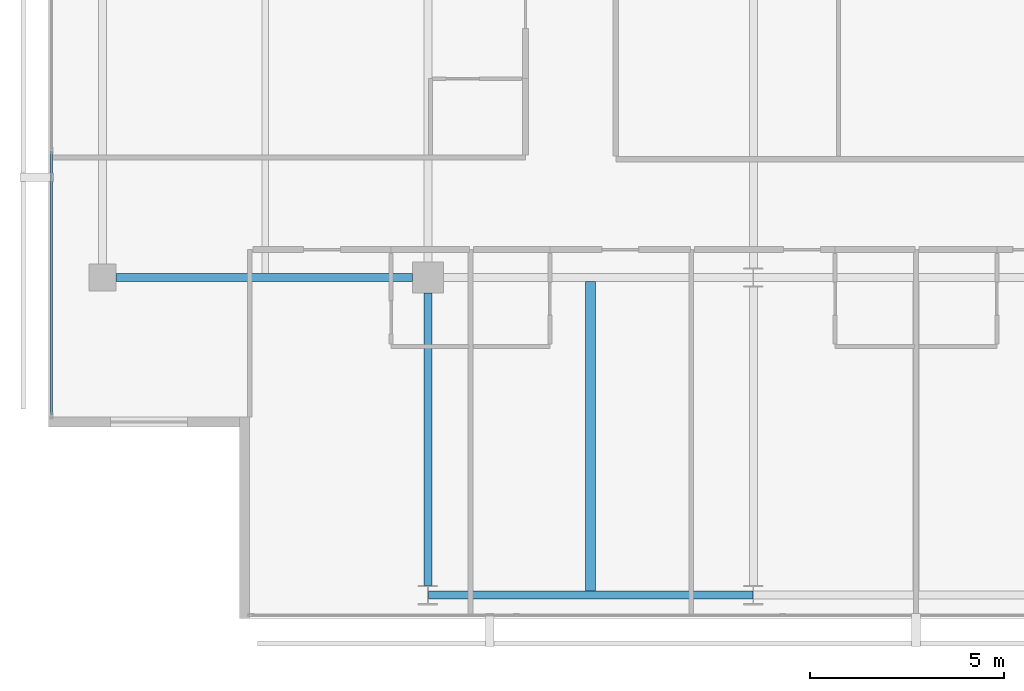
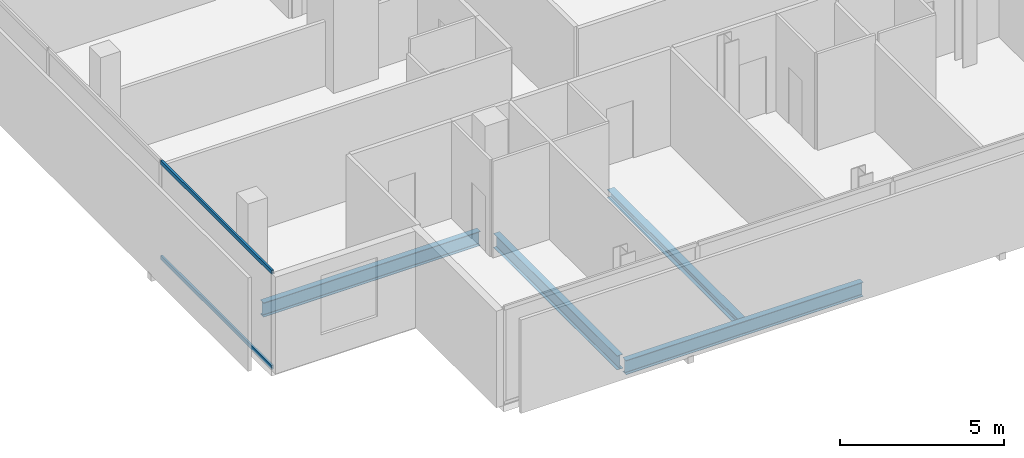
# One storey, part 3 of 26: 4 beams, 2 members, 1 element without a shape of its own.
"""IFC4 building model written with IfcOpenShell, lengths in metres."""

from ifc_helpers import new_model, si_unit, direction, frame, origin, origin_2d, place, context, subcontext, project, spatial, hollow_rectangle, i_section, extrude, material, layer, layer_set, material_profile, profile_set, type_object, element, aggregate, save


model = new_model("IFC4")

# Units and contexts
model_context = context("Model", 3, precision=1e-05, world=origin(), true_north=direction((0.0, 1.0)))
body_context = subcontext(model_context, "Body", "Model", "MODEL_VIEW")
ifc_project = project(units=[si_unit("LENGTHUNIT", "METRE"), si_unit("AREAUNIT", "SQUARE_METRE"), si_unit("VOLUMEUNIT", "CUBIC_METRE"), si_unit("PLANEANGLEUNIT", "RADIAN"), si_unit("MASSUNIT", "GRAM", prefix="KILO")], contexts=[model_context])

# Site, building, storey
site_placement = place(None, origin())
site = spatial("IfcSite", under=ifc_project, at=site_placement, CompositionType="ELEMENT")
building_placement = place(site_placement, origin())
building = spatial("IfcBuilding", under=site, at=building_placement, Name="Maruvema Waterfront Hotel and Observation Tower", CompositionType="ELEMENT")
storey_placement = place(building_placement, frame((0.0, 0.0, 243.25)))
storey = spatial("IfcBuildingStorey", under=building, at=storey_placement, Name="L59", CompositionType="ELEMENT", Elevation=243.25)

# Curtain wall, members
ifc_material_1 = material(Name="Anodised bronze aluminium and solar-control low-E IGU", Category="aluminium")
ifc_layer = layer(ifc_material_1, 0.159912109375, Name="Zone 3 Champagne Inner Thermal Curtain Wall System CW-04")
ifc_layer_set = layer_set([ifc_layer], Name="Anodised bronze aluminium and solar-control low-E IGU")
curtain_wall_type = type_object("IfcCurtainWallType", Name="Zone 3 Champagne Inner Thermal Curtain Wall System CW-04", PredefinedType="USERDEFINED", material=ifc_layer_set)
curtain_wall_placement = place(storey_placement, origin())
curtain_wall = element("IfcCurtainWall", 1, at=curtain_wall_placement, inside=storey, type_object=curtain_wall_type, Name="L59 Curtain Wall CW-L59-W", ObjectType="UNITISED CURTAIN WALL", PredefinedType="USERDEFINED")
ifc_material_2 = material(Name="Anodised architectural bronze aluminium", Category="aluminium")
ifc_material_profile_1 = material_profile(ifc_material_2, hollow_rectangle(XDim=0.070068359375, YDim=0.14990234375, WallThickness=0.00390625, at=origin_2d()), Name="ALU-T70x150")
ifc_profile_set_1 = profile_set([ifc_material_profile_1], Name="Anodised architectural bronze aluminium")
member_type = type_object("IfcMemberType", Name="Curtain Wall Horizontal Transom ALU-T70x150", PredefinedType="USERDEFINED", material=ifc_profile_set_1)
member_1_placement = place(storey_placement, frame((15.47998046875, 21.25, 0.030029296875), z_axis=(0.0, -1.0, 0.0), x_axis=(1.0, 0.0, 0.0)))
member_1 = element("IfcMember", 2, at=member_1_placement, type_object=member_type, Name="CW-04 transom 5.1", ObjectType="TRANSOM", PredefinedType="USERDEFINED", context=body_context, shape_type="SweptSolid", body=[
    extrude(hollow_rectangle(XDim=0.070068359375, YDim=0.14990234375, WallThickness=0.00390625, at=origin_2d()), origin(), (0.0, 0.0, 1.0), 6.7900390625),
])
member_2_placement = place(storey_placement, frame((15.47998046875, 21.25, 3.580078125), z_axis=(0.0, -1.0, 0.0), x_axis=(1.0, 0.0, 0.0)))
member_2 = element("IfcMember", 3, at=member_2_placement, type_object=member_type, Name="CW-04 transom 5.2", ObjectType="TRANSOM", PredefinedType="USERDEFINED", context=body_context, shape_type="SweptSolid", body=[
    extrude(hollow_rectangle(XDim=0.070068359375, YDim=0.14990234375, WallThickness=0.00390625, at=origin_2d()), origin(), (0.0, 0.0, 1.0), 6.7900390625),
])
aggregate(curtain_wall, [member_1, member_2])

# Beams
ifc_material_3 = material(Name="Steel ASTM A572 Grade 50", Category="steel")
ifc_material_profile_2 = material_profile(ifc_material_3, i_section(OverallWidth=0.208984375, OverallDepth=0.532958984375, WebThickness=0.01025390625, FlangeThickness=0.015625, FilletRadius=0.014892578125, at=origin_2d()), Name="W530x92.0")
ifc_profile_set_2 = profile_set([ifc_material_profile_2], Name="Steel ASTM A572 Grade 50")
beam_type_1 = type_object("IfcBeamType", Name="Primary Floor Girder W530x92.0", PredefinedType="BEAM", material=ifc_profile_set_2)
beam_1_placement = place(storey_placement, frame((25.2109375, 9.800048828125, -0.506591796875), z_axis=(1.0, 0.0, 0.0), x_axis=(0.0, 1.0, 0.0)))
element("IfcBeam", 4, at=beam_1_placement, inside=storey, type_object=beam_type_1, Name="L59 Floor Girder EW-01", PredefinedType="BEAM", context=body_context, shape_type="SweptSolid", body=[
    extrude(i_section(OverallWidth=0.208984375, OverallDepth=0.532958984375, WebThickness=0.01025390625, FlangeThickness=0.015625, FilletRadius=0.014892578125, at=origin_2d()), origin(), (0.0, 0.0, 1.0), 8.378173828125),
])
beam_2_placement = place(storey_placement, frame((17.14990234375, 18.0, -0.506591796875), z_axis=(1.0, 0.0, 0.0), x_axis=(0.0, 1.0, 0.0)))
element("IfcBeam", 5, at=beam_2_placement, inside=storey, type_object=beam_type_1, Name="L59 Floor Girder EW-04", PredefinedType="BEAM", context=body_context, shape_type="SweptSolid", body=[
    extrude(i_section(OverallWidth=0.208984375, OverallDepth=0.532958984375, WebThickness=0.01025390625, FlangeThickness=0.015625, FilletRadius=0.014892578125, at=origin_2d()), origin(), (0.0, 0.0, 1.0), 7.650146484375),
])
beam_3_placement = place(storey_placement, frame((25.199951171875, 10.050048828125, -0.506591796875), z_axis=(0.0, 1.0, 0.0), x_axis=(-1.0, 0.0, 0.0)))
element("IfcBeam", 6, at=beam_3_placement, inside=storey, type_object=beam_type_1, Name="L59 Floor Girder NS-04", PredefinedType="BEAM", context=body_context, shape_type="SweptSolid", body=[
    extrude(i_section(OverallWidth=0.208984375, OverallDepth=0.532958984375, WebThickness=0.01025390625, FlangeThickness=0.015625, FilletRadius=0.014892578125, at=origin_2d()), origin(), (0.0, 0.0, 1.0), 7.550048828125),
])
ifc_material_4 = material(Name="Steel ASTM A572 Grade 50", Category="steel")
ifc_material_profile_3 = material_profile(ifc_material_4, i_section(OverallWidth=0.25390625, OverallDepth=0.305908203125, WebThickness=0.0087890625, FlangeThickness=0.0146484375, FilletRadius=0.014892578125, at=origin_2d()), Name="W310x79.0")
ifc_profile_set_3 = profile_set([ifc_material_profile_3], Name="Steel ASTM A572 Grade 50")
beam_type_2 = type_object("IfcBeamType", Name="Secondary Floor Joist W310x79.0", PredefinedType="JOIST", material=ifc_profile_set_3)
beam_4_placement = place(storey_placement, frame((29.39990234375, 9.904541015625, -0.39306640625), z_axis=(0.0, 1.0, 0.0), x_axis=(-1.0, 0.0, 0.0)))
element("IfcBeam", 7, at=beam_4_placement, inside=storey, type_object=beam_type_2, Name="L59 Secondary Floor Joist JS-04", PredefinedType="JOIST", context=body_context, shape_type="SweptSolid", body=[
    extrude(i_section(OverallWidth=0.25390625, OverallDepth=0.305908203125, WebThickness=0.0087890625, FlangeThickness=0.0146484375, FilletRadius=0.014892578125, at=origin_2d()), origin(), (0.0, 0.0, 1.0), 7.990966796875),
])

save(model, "model.ifc")
